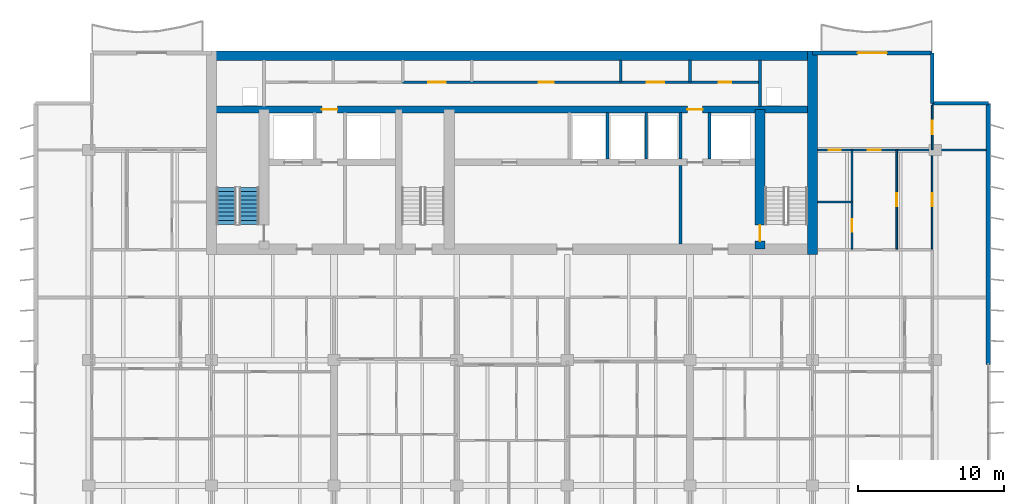
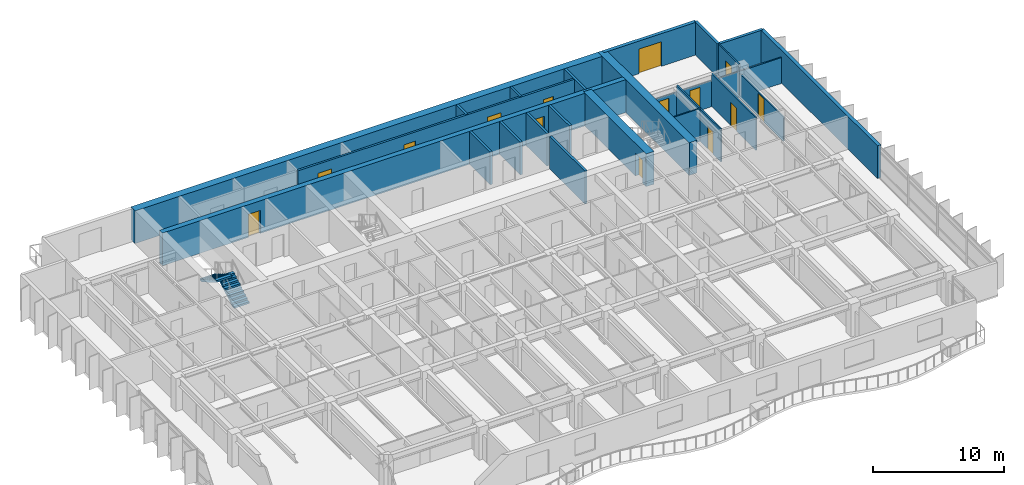
# One storey, part 14 of 19: 23 walls, 14 doors, 2 stair flights, 14 openings, 1 element without a shape of its own.
"""IFC4 building model written with IfcOpenShell, lengths in metres."""

from ifc_helpers import new_model, si_unit, direction, frame, frame_2d, origin, place, context, subcontext, project, spatial, polyline, rectangle, outline, extrude, material, layer, layer_set, type_object, element, fill, aggregate, save


model = new_model("IFC4")

# Units and contexts
model_context = context("Model", 3, precision=1e-05, world=origin(), true_north=direction((0.0, 1.0)))
body_context = subcontext(model_context, "Body", "Model", "MODEL_VIEW")
ifc_project = project(units=[si_unit("LENGTHUNIT", "METRE"), si_unit("AREAUNIT", "SQUARE_METRE"), si_unit("VOLUMEUNIT", "CUBIC_METRE"), si_unit("PLANEANGLEUNIT", "RADIAN"), si_unit("MASSUNIT", "GRAM", prefix="KILO")], contexts=[model_context])

# Site, building, storey
site_placement = place(None, origin())
site = spatial("IfcSite", under=ifc_project, at=site_placement, CompositionType="ELEMENT")
building_placement = place(site_placement, origin())
building = spatial("IfcBuilding", under=site, at=building_placement, Name="Caelmar Bay Residences", CompositionType="ELEMENT")
storey_placement = place(building_placement, frame((0.0, 0.0, 167.10009765625)))
storey = spatial("IfcBuildingStorey", under=building, at=storey_placement, Name="L46", CompositionType="ELEMENT", Elevation=167.10009765625)

# Wall
ifc_material_1 = material(Name="Concrete f'c 55 MPa (8,000 psi)", Category="concrete")
ifc_layer_1 = layer(ifc_material_1, 0.699951171875)
ifc_layer_set_1 = layer_set([ifc_layer_1], Name="Concrete f'c 55 MPa (8,000 psi)")
wall_type_1 = type_object("IfcWallType", Name="SW-COR-700", PredefinedType="SHEAR", material=ifc_layer_set_1)
wall_1_placement = place(storey_placement, frame((59.5, 36.64990234375, 0.0), z_axis=(0.0, 0.0, 1.0), x_axis=(0.0, 1.0, 0.0)))
element("IfcWall", 1, at=wall_1_placement, inside=storey, type_object=wall_type_1, Name="L46 Rear Core East Shear Wall", PredefinedType="SHEAR", context=body_context, shape_type="SweptSolid", body=[
    extrude(rectangle(XDim=13.9501953125, YDim=0.699951171875, at=frame_2d((6.97509765625, 0.0))), origin(), (0.0, 0.0, 1.0), 3.0498046875),
])

# Wall, opening, door
wall_2_placement = place(storey_placement, frame((55.89990234375, 37.0, 0.0), z_axis=(0.0, 0.0, 1.0), x_axis=(0.0, 1.0, 0.0)))
wall_2 = element("IfcWall", 2, at=wall_2_placement, inside=storey, type_object=wall_type_1, Name="L46 Core Structural Web Wall ST2W", PredefinedType="SHEAR", context=body_context, shape_type="SweptSolid", body=[
    extrude(rectangle(XDim=9.574951171875, YDim=0.699951171875, at=frame_2d((4.78759765625, 0.0))), origin(), (0.0, 0.0, 1.0), 3.0498046875),
])
opening_1_placement = place(wall_2_placement, frame((0.550048828125, 0.0, 0.0)))
opening_1 = element("IfcOpeningElement", 3, at=opening_1_placement, cuts=wall_2, Name="Opening D-L46-110", PredefinedType="OPENING", context=body_context, shape_type="SweptSolid", body=[
    extrude(rectangle(XDim=1.10009765625, YDim=2.14990234375, at=frame_2d((0.550048828125, 1.074951171875))), frame((0.0, 0.35986328125, 0.0), z_axis=(0.0, -1.0, 0.0), x_axis=(1.0, 0.0, 0.0)), (0.0, 0.0, 1.0), 0.719970703125),
])
ifc_material_2 = material(Name="Fire-rated steel and walnut architectural door assembly", Category="steel")
ifc_layer_2 = layer(ifc_material_2, 0.050048828125)
ifc_layer_set_2 = layer_set([ifc_layer_2], Name="Fire-rated steel and walnut architectural door assembly")
door_type_1 = type_object("IfcDoorType", Name="D-STAIR-1100", OperationType="NOTDEFINED", PredefinedType="DOOR", material=ifc_layer_set_2)
door_1_placement = place(opening_1_placement, origin())
door_1 = element("IfcDoor", 4, at=door_1_placement, inside=storey, type_object=door_type_1, Name="L46 Firefighting Lobby East Door", OperationType="SINGLE_SWING_LEFT", OverallHeight=2.14990234375, OverallWidth=1.10009765625, PredefinedType="DOOR", context=body_context, shape_type="SweptSolid", body=[
    extrude(rectangle(XDim=1.10009765625, YDim=2.14990234375, at=frame_2d((0.550048828125, 1.074951171875))), frame((0.0, 0.02490234375, 0.0), z_axis=(0.0, -1.0, 0.0), x_axis=(1.0, 0.0, 0.0)), (0.0, 0.0, 1.0), 0.050048828125),
])
fill(opening_1, door_1)

# Wall
ifc_layer_3 = layer(ifc_material_1, 0.64990234375)
ifc_layer_set_3 = layer_set([ifc_layer_3], Name="Concrete f'c 55 MPa (8,000 psi)")
wall_type_2 = type_object("IfcWallType", Name="SW-CORN-650", PredefinedType="SHEAR", material=ifc_layer_set_3)
wall_3_placement = place(storey_placement, frame((17.949951171875, 50.27490234375, 0.0), z_axis=(0.0, 0.0, 1.0), x_axis=(1.0, 0.0, 0.0)))
element("IfcWall", 5, at=wall_3_placement, inside=storey, type_object=wall_type_2, Name="L46 Rear Core North Shear Wall", PredefinedType="SHEAR", context=body_context, shape_type="SweptSolid", body=[
    extrude(rectangle(XDim=41.900146484375, YDim=0.64990234375, at=frame_2d((20.9501953125, 0.0))), origin(), (0.0, 0.0, 1.0), 3.0498046875),
])

# Wall, openings, doors
ifc_material_3 = material(Name="Concrete f'c 70 MPa (10,000 psi)", Category="concrete")
ifc_layer_4 = layer(ifc_material_3, 0.449951171875)
ifc_layer_set_4 = layer_set([ifc_layer_4], Name="Concrete f'c 70 MPa (10,000 psi)")
wall_type_3 = type_object("IfcWallType", Name="SW-WEB-450", PredefinedType="SHEAR", material=ifc_layer_set_4)
wall_4_placement = place(storey_placement, frame((18.300048828125, 46.574951171875, 0.0), z_axis=(0.0, 0.0, 1.0), x_axis=(1.0, 0.0, 0.0)))
wall_4 = element("IfcWall", 6, at=wall_4_placement, inside=storey, type_object=wall_type_3, Name="L46 Core Structural Web Wall SRVS", PredefinedType="SHEAR", context=body_context, shape_type="SweptSolid", body=[
    extrude(rectangle(XDim=41.199951171875, YDim=0.449951171875, at=frame_2d((20.60009765625, 0.0))), origin(), (0.0, 0.0, 1.0), 3.0498046875),
])
opening_2_placement = place(wall_4_placement, frame((7.574951171875, 0.0, 0.0)))
opening_2 = element("IfcOpeningElement", 7, at=opening_2_placement, cuts=wall_4, Name="Opening D-L46-115", PredefinedType="OPENING", context=body_context, shape_type="SweptSolid", body=[
    extrude(rectangle(XDim=1.050048828125, YDim=2.14990234375, at=frame_2d((0.52490234375, 1.074951171875))), frame((0.0, 0.23486328125, 0.0), z_axis=(0.0, -1.0, 0.0), x_axis=(1.0, 0.0, 0.0)), (0.0, 0.0, 1.0), 0.469970703125),
])
opening_3_placement = place(wall_4_placement, frame((32.625, 0.0, 0.0)))
opening_3 = element("IfcOpeningElement", 8, at=opening_3_placement, cuts=wall_4, Name="Opening D-L46-116", PredefinedType="OPENING", context=body_context, shape_type="SweptSolid", body=[
    extrude(rectangle(XDim=1.050048828125, YDim=2.14990234375, at=frame_2d((0.52490234375, 1.074951171875))), frame((0.0, 0.23486328125, 0.0), z_axis=(0.0, -1.0, 0.0), x_axis=(1.0, 0.0, 0.0)), (0.0, 0.0, 1.0), 0.469970703125),
])
ifc_layer_5 = layer(ifc_material_2, 0.050048828125)
ifc_layer_set_5 = layer_set([ifc_layer_5], Name="Fire-rated steel and walnut architectural door assembly")
door_type_2 = type_object("IfcDoorType", Name="D-FSAE-1050", OperationType="NOTDEFINED", PredefinedType="DOOR", material=ifc_layer_set_5)
door_2_placement = place(opening_2_placement, origin())
door_2 = element("IfcDoor", 9, at=door_2_placement, inside=storey, type_object=door_type_2, Name="L46 Core Service Corridor Door", OperationType="SINGLE_SWING_RIGHT", OverallHeight=2.14990234375, OverallWidth=1.050048828125, PredefinedType="DOOR", context=body_context, shape_type="SweptSolid", body=[
    extrude(rectangle(XDim=1.050048828125, YDim=2.14990234375, at=frame_2d((0.52490234375, 1.074951171875))), frame((0.0, 0.02490234375, 0.0), z_axis=(0.0, -1.0, 0.0), x_axis=(1.0, 0.0, 0.0)), (0.0, 0.0, 1.0), 0.050048828125),
])
fill(opening_2, door_2)
door_3_placement = place(opening_3_placement, origin())
door_3 = element("IfcDoor", 10, at=door_3_placement, inside=storey, type_object=door_type_2, Name="L46 Core Service Corridor Door", OperationType="SINGLE_SWING_LEFT", OverallHeight=2.14990234375, OverallWidth=1.050048828125, PredefinedType="DOOR", context=body_context, shape_type="SweptSolid", body=[
    extrude(rectangle(XDim=1.050048828125, YDim=2.14990234375, at=frame_2d((0.52490234375, 1.074951171875))), frame((0.0, 0.02490234375, 0.0), z_axis=(0.0, -1.0, 0.0), x_axis=(1.0, 0.0, 0.0)), (0.0, 0.0, 1.0), 0.050048828125),
])
fill(opening_3, door_3)

# Walls
ifc_material_4 = material(Name="Double-stud acoustic fire-rated gypsum partition 180 mm")
ifc_layer_6 = layer(ifc_material_4, 0.179931640625)
ifc_layer_set_6 = layer_set([ifc_layer_6], Name="Double-stud acoustic fire-rated gypsum partition 180 mm")
wall_type_4 = type_object("IfcWallType", Name="W-COR-200", PredefinedType="PARTITIONING", material=ifc_layer_set_6)
for number, where, z_axis, x_axis, name in (
    (11, (46.35009765625, 48.449951171875, 0.0), (0.0, 0.0, 1.0), (0.0, 1.0, 0.0), "L46 Partition Wall V055"),
    (12, (51.10009765625, 48.449951171875, 0.0), (0.0, 0.0, 1.0), (0.0, 1.0, 0.0), "L46 Partition Wall V067"),
):
    element("IfcWall", number, at=place(storey_placement, frame(where, z_axis=z_axis, x_axis=x_axis)), inside=storey, type_object=wall_type_4, Name=name, PredefinedType="PARTITIONING", context=body_context, shape_type="SweptSolid", body=[
        extrude(rectangle(XDim=1.505126953125, YDim=0.179931640625, at=frame_2d((0.75244140625, 0.0))), origin(), (0.0, 0.0, 1.0), 3.0498046875),
    ])

# Wall, openings, doors
wall_5_placement = place(storey_placement, frame((31.39990234375, 48.449951171875, 0.0), z_axis=(0.0, 0.0, 1.0), x_axis=(1.0, 0.0, 0.0)))
wall_5 = element("IfcWall", 13, at=wall_5_placement, inside=storey, type_object=wall_type_4, Name="L46 Partition Wall H128", PredefinedType="PARTITIONING", context=body_context, shape_type="SweptSolid", body=[
    extrude(rectangle(XDim=24.5, YDim=0.179931640625, at=frame_2d((12.25, 0.0))), origin(), (0.0, 0.0, 1.0), 3.0498046875),
])
opening_4_placement = place(wall_5_placement, frame((1.77490234375, 0.0, 0.0)))
opening_4 = element("IfcOpeningElement", 14, at=opening_4_placement, cuts=wall_5, Name="Opening D-L46-119", PredefinedType="OPENING", context=body_context, shape_type="SweptSolid", body=[
    extrude(rectangle(XDim=1.199951171875, YDim=2.199951171875, at=frame_2d((0.60009765625, 1.10009765625))), frame((0.0, 0.099853515625, 0.0), z_axis=(0.0, -1.0, 0.0), x_axis=(1.0, 0.0, 0.0)), (0.0, 0.0, 1.0), 0.199951171875),
])
opening_5_placement = place(wall_5_placement, frame((9.35009765625, 0.0, 0.0)))
opening_5 = element("IfcOpeningElement", 15, at=opening_5_placement, cuts=wall_5, Name="Opening D-L46-120", PredefinedType="OPENING", context=body_context, shape_type="SweptSolid", body=[
    extrude(rectangle(XDim=1.0, YDim=2.199951171875, at=frame_2d((0.5, 1.10009765625))), frame((0.0, 0.099853515625, 0.0), z_axis=(0.0, -1.0, 0.0), x_axis=(1.0, 0.0, 0.0)), (0.0, 0.0, 1.0), 0.199951171875),
])
opening_6_placement = place(wall_5_placement, frame((16.72509765625, 0.0, 0.0)))
opening_6 = element("IfcOpeningElement", 16, at=opening_6_placement, cuts=wall_5, Name="Opening D-L46-121", PredefinedType="OPENING", context=body_context, shape_type="SweptSolid", body=[
    extrude(rectangle(XDim=1.199951171875, YDim=2.199951171875, at=frame_2d((0.60009765625, 1.10009765625))), frame((0.0, 0.099853515625, 0.0), z_axis=(0.0, -1.0, 0.0), x_axis=(1.0, 0.0, 0.0)), (0.0, 0.0, 1.0), 0.199951171875),
])
opening_7_placement = place(wall_5_placement, frame((21.675048828125, 0.0, 0.0)))
opening_7 = element("IfcOpeningElement", 17, at=opening_7_placement, cuts=wall_5, Name="Opening D-L46-122", PredefinedType="OPENING", context=body_context, shape_type="SweptSolid", body=[
    extrude(rectangle(XDim=0.85009765625, YDim=2.10009765625, at=frame_2d((0.425048828125, 1.050048828125))), frame((0.0, 0.099853515625, 0.0), z_axis=(0.0, -1.0, 0.0), x_axis=(1.0, 0.0, 0.0)), (0.0, 0.0, 1.0), 0.199951171875),
])
ifc_layer_7 = layer(ifc_material_2, 0.050048828125)
ifc_layer_set_7 = layer_set([ifc_layer_7], Name="Fire-rated steel and walnut architectural door assembly")
door_type_3 = type_object("IfcDoorType", Name="D-CORE-850", OperationType="NOTDEFINED", PredefinedType="DOOR", material=ifc_layer_set_7)
door_4_placement = place(opening_7_placement, origin())
door_4 = element("IfcDoor", 18, at=door_4_placement, inside=storey, type_object=door_type_3, Name="L46 Staff Restroom Door", OperationType="SINGLE_SWING_LEFT", OverallHeight=2.10009765625, OverallWidth=0.85009765625, PredefinedType="DOOR", context=body_context, shape_type="SweptSolid", body=[
    extrude(rectangle(XDim=0.85009765625, YDim=2.10009765625, at=frame_2d((0.425048828125, 1.050048828125))), frame((0.0, 0.02490234375, 0.0), z_axis=(0.0, -1.0, 0.0), x_axis=(1.0, 0.0, 0.0)), (0.0, 0.0, 1.0), 0.050048828125),
])
fill(opening_7, door_4)
ifc_layer_8 = layer(ifc_material_2, 0.050048828125)
ifc_layer_set_8 = layer_set([ifc_layer_8], Name="Fire-rated steel and walnut architectural door assembly")
door_type_4 = type_object("IfcDoorType", Name="D-PLANT-1200", OperationType="NOTDEFINED", PredefinedType="DOOR", material=ifc_layer_set_8)
door_5_placement = place(opening_4_placement, origin())
door_5 = element("IfcDoor", 19, at=door_5_placement, inside=storey, type_object=door_type_4, Name="L46 Low-Voltage Data Closet Door", OperationType="SINGLE_SWING_RIGHT", OverallHeight=2.199951171875, OverallWidth=1.199951171875, PredefinedType="DOOR", context=body_context, shape_type="SweptSolid", body=[
    extrude(rectangle(XDim=1.199951171875, YDim=2.199951171875, at=frame_2d((0.60009765625, 1.10009765625))), frame((0.0, 0.02490234375, 0.0), z_axis=(0.0, -1.0, 0.0), x_axis=(1.0, 0.0, 0.0)), (0.0, 0.0, 1.0), 0.050048828125),
])
fill(opening_4, door_5)
door_6_placement = place(opening_6_placement, origin())
door_6 = element("IfcDoor", 20, at=door_6_placement, inside=storey, type_object=door_type_4, Name="L46 Valet Trunk Closet Door", OperationType="SINGLE_SWING_RIGHT", OverallHeight=2.199951171875, OverallWidth=1.199951171875, PredefinedType="DOOR", context=body_context, shape_type="SweptSolid", body=[
    extrude(rectangle(XDim=1.199951171875, YDim=2.199951171875, at=frame_2d((0.60009765625, 1.10009765625))), frame((0.0, 0.02490234375, 0.0), z_axis=(0.0, -1.0, 0.0), x_axis=(1.0, 0.0, 0.0)), (0.0, 0.0, 1.0), 0.050048828125),
])
fill(opening_6, door_6)
ifc_layer_9 = layer(ifc_material_2, 0.050048828125)
ifc_layer_set_9 = layer_set([ifc_layer_9], Name="Fire-rated steel and walnut architectural door assembly")
door_type_5 = type_object("IfcDoorType", Name="D-UNIT-1000", OperationType="NOTDEFINED", PredefinedType="DOOR", material=ifc_layer_set_9)
door_7_placement = place(opening_5_placement, origin())
door_7 = element("IfcDoor", 21, at=door_7_placement, inside=storey, type_object=door_type_5, Name="L46 Mail Sorting Office Door", OperationType="SINGLE_SWING_LEFT", OverallHeight=2.199951171875, OverallWidth=1.0, PredefinedType="DOOR", context=body_context, shape_type="SweptSolid", body=[
    extrude(rectangle(XDim=1.0, YDim=2.199951171875, at=frame_2d((0.5, 1.10009765625))), frame((0.0, 0.02490234375, 0.0), z_axis=(0.0, -1.0, 0.0), x_axis=(1.0, 0.0, 0.0)), (0.0, 0.0, 1.0), 0.050048828125),
])
fill(opening_5, door_7)

# Walls
ifc_material_5 = material(Name="Precast concrete f'c 40 MPa (6,000 psi)", Category="concrete")
ifc_layer_10 = layer(ifc_material_5, 0.25)
ifc_layer_set_10 = layer_set([ifc_layer_10], Name="Precast concrete f'c 40 MPa (6,000 psi)")
wall_type_5 = type_object("IfcWallType", Name="W-EXT-250", PredefinedType="ELEMENTEDWALL", material=ifc_layer_set_10)
wall_6_placement = place(storey_placement, frame((67.699951171875, 50.449951171875, 0.0), z_axis=(0.0, 0.0, 1.0), x_axis=(0.0, -1.0, 0.0)))
element("IfcWall", 22, at=wall_6_placement, inside=storey, type_object=wall_type_5, Name="L46 NNE-V Notch Wall", PredefinedType="ELEMENTEDWALL", context=body_context, shape_type="SweptSolid", body=[
    extrude(rectangle(XDim=3.449951171875, YDim=0.25, at=frame_2d((1.72509765625, 0.0))), origin(), (0.0, 0.0, 1.0), 3.0498046875),
])
wall_7_placement = place(storey_placement, frame((67.699951171875, 47.0, 0.0), z_axis=(0.0, 0.0, 1.0), x_axis=(1.0, 0.0, 0.0)))
element("IfcWall", 23, at=wall_7_placement, inside=storey, type_object=wall_type_5, Name="L46 NNE-H Notch Wall", PredefinedType="ELEMENTEDWALL", context=body_context, shape_type="SweptSolid", body=[
    extrude(rectangle(XDim=3.85009765625, YDim=0.25, at=frame_2d((1.925048828125, 0.0))), origin(), (0.0, 0.0, 1.0), 3.0498046875),
])
ifc_layer_11 = layer(ifc_material_5, 0.300048828125)
ifc_layer_set_11 = layer_set([ifc_layer_11], Name="Precast concrete f'c 40 MPa (6,000 psi)")
wall_type_6 = type_object("IfcWallType", Name="W-EXT-300", PredefinedType="STANDARD", material=ifc_layer_set_11)
wall_8_placement = place(storey_placement, frame((71.550048828125, 47.0, 0.0), z_axis=(0.0, 0.0, 1.0), x_axis=(0.0, -1.0, 0.0)))
element("IfcWall", 24, at=wall_8_placement, inside=storey, type_object=wall_type_6, Name="L46 East Rear Exterior Wall", PredefinedType="STANDARD", context=body_context, shape_type="SweptSolid", body=[
    extrude(rectangle(XDim=17.89990234375, YDim=0.300048828125, at=frame_2d((8.949951171875, 0.0))), origin(), (0.0, 0.0, 1.0), 3.0498046875),
])

# Wall, opening, door
wall_9_placement = place(storey_placement, frame((59.5, 50.449951171875, 0.0), z_axis=(0.0, 0.0, 1.0), x_axis=(1.0, 0.0, 0.0)))
wall_9 = element("IfcWall", 25, at=wall_9_placement, inside=storey, type_object=wall_type_6, Name="L46 North-East Wing Exterior Wall", PredefinedType="STANDARD", context=body_context, shape_type="SweptSolid", body=[
    extrude(rectangle(XDim=8.199951171875, YDim=0.300048828125, at=frame_2d((4.10009765625, 0.0))), origin(), (0.0, 0.0, 1.0), 3.0498046875),
])
opening_8_placement = place(wall_9_placement, frame((3.10009765625, 0.0, 0.0)))
opening_8 = element("IfcOpeningElement", 26, at=opening_8_placement, cuts=wall_9, Name="Opening L46-BDNE", PredefinedType="OPENING", context=body_context, shape_type="SweptSolid", body=[
    extrude(rectangle(XDim=2.0, YDim=2.300048828125, at=frame_2d((1.0, 1.14990234375))), frame((0.0, 0.159912109375, 0.0), z_axis=(0.0, -1.0, 0.0), x_axis=(1.0, 0.0, 0.0)), (0.0, 0.0, 1.0), 0.320068359375),
])
ifc_material_6 = material(Name="Anodised bronze thermally broken sliding glass door", Category="glass")
ifc_layer_12 = layer(ifc_material_6, 0.050048828125)
ifc_layer_set_12 = layer_set([ifc_layer_12], Name="Anodised bronze thermally broken sliding glass door")
door_type_6 = type_object("IfcDoorType", Name="D-BAL-2000", OperationType="DOUBLE_DOOR_SLIDING", PredefinedType="DOOR", material=ifc_layer_set_12)
door_8_placement = place(opening_8_placement, origin())
door_8 = element("IfcDoor", 27, at=door_8_placement, inside=storey, type_object=door_type_6, Name="L46 North-East Balcony Door", OperationType="DOUBLE_DOOR_SLIDING", OverallHeight=2.300048828125, OverallWidth=2.0, PredefinedType="DOOR", context=body_context, shape_type="SweptSolid", body=[
    extrude(rectangle(XDim=2.0, YDim=2.300048828125, at=frame_2d((1.0, 1.14990234375))), frame((0.0, 0.02490234375, 0.0), z_axis=(0.0, -1.0, 0.0), x_axis=(1.0, 0.0, 0.0)), (0.0, 0.0, 1.0), 0.050048828125),
])
fill(opening_8, door_8)

# Walls
ifc_material_7 = material(Name="Fire-rated masonry and gypsum shaftliner assembly 200 mm", Category="masonry")
ifc_layer_13 = layer(ifc_material_7, 0.199951171875)
ifc_layer_set_13 = layer_set([ifc_layer_13], Name="Fire-rated masonry and gypsum shaftliner assembly 200 mm")
wall_type_7 = type_object("IfcWallType", Name="W-FSAE-200", PredefinedType="PARTITIONING", material=ifc_layer_set_13)
for number, where, z_axis, x_axis, name in (
    (28, (45.449951171875, 43.169921875, 0.0), (0.0, 0.0, 1.0), (0.0, 1.0, 0.0), "L46 Partition Wall V054"),
    (29, (48.10009765625, 43.169921875, 0.0), (0.0, 0.0, 1.0), (0.0, 1.0, 0.0), "L46 Partition Wall V060"),
):
    element("IfcWall", number, at=place(storey_placement, frame(where, z_axis=z_axis, x_axis=x_axis)), inside=storey, type_object=wall_type_7, Name=name, PredefinedType="PARTITIONING", context=body_context, shape_type="SweptSolid", body=[
        extrude(rectangle(XDim=3.18505859375, YDim=0.199951171875, at=frame_2d((1.592529296875, 0.0))), origin(), (0.0, 0.0, 1.0), 3.0498046875),
    ])
wall_10_placement = place(storey_placement, frame((50.449951171875, 37.344970703125, 0.0), z_axis=(0.0, 0.0, 1.0), x_axis=(0.0, 1.0, 0.0)))
element("IfcWall", 30, at=wall_10_placement, inside=storey, type_object=wall_type_7, Name="L46 Partition Wall V062", PredefinedType="PARTITIONING", context=body_context, shape_type="SweptSolid", body=[
    extrude(rectangle(XDim=5.385009765625, YDim=0.199951171875, at=frame_2d((2.6923828125, 0.0))), origin(), (0.0, 0.0, 1.0), 3.0498046875),
])
for number, where, z_axis, x_axis, name in (
    (31, (50.449951171875, 43.169921875, 0.0), (0.0, 0.0, 1.0), (0.0, 1.0, 0.0), "L46 Partition Wall V063"),
    (32, (52.449951171875, 43.169921875, 0.0), (0.0, 0.0, 1.0), (0.0, 1.0, 0.0), "L46 Partition Wall V068"),
):
    element("IfcWall", number, at=place(storey_placement, frame(where, z_axis=z_axis, x_axis=x_axis)), inside=storey, type_object=wall_type_7, Name=name, PredefinedType="PARTITIONING", context=body_context, shape_type="SweptSolid", body=[
        extrude(rectangle(XDim=3.18505859375, YDim=0.199951171875, at=frame_2d((1.592529296875, 0.0))), origin(), (0.0, 0.0, 1.0), 3.0498046875),
    ])
wall_11_placement = place(storey_placement, frame((55.89990234375, 46.794921875, 0.0), z_axis=(0.0, 0.0, 1.0), x_axis=(0.0, 1.0, 0.0)))
element("IfcWall", 33, at=wall_11_placement, inside=storey, type_object=wall_type_7, Name="L46 Partition Wall V071", PredefinedType="PARTITIONING", context=body_context, shape_type="SweptSolid", body=[
    extrude(rectangle(XDim=3.16015625, YDim=0.199951171875, at=frame_2d((1.580078125, 0.0))), origin(), (0.0, 0.0, 1.0), 3.0498046875),
])

# Wall, opening, door
ifc_material_8 = material(Name="Anodised bronze framed acoustic sliding study partition 100 mm")
ifc_layer_14 = layer(ifc_material_8, 0.10009765625)
ifc_layer_set_14 = layer_set([ifc_layer_14], Name="Anodised bronze framed acoustic sliding study partition 100 mm")
wall_type_8 = type_object("IfcWallType", Name="W-MOV-100", PredefinedType="MOVABLE", material=ifc_layer_set_14)
wall_12_placement = place(storey_placement, frame((67.699951171875, 37.0, 0.0), z_axis=(0.0, 0.0, 1.0), x_axis=(0.0, 1.0, 0.0)))
wall_12 = element("IfcWall", 34, at=wall_12_placement, inside=storey, type_object=wall_type_8, Name="L46 Partition Wall V090", PredefinedType="MOVABLE", context=body_context, shape_type="SweptSolid", body=[
    extrude(rectangle(XDim=6.800048828125, YDim=0.10009765625, at=frame_2d((3.39990234375, 0.0))), origin(), (0.0, 0.0, 1.0), 2.262939453125),
])
opening_9_placement = place(wall_12_placement, frame((2.949951171875, 0.0, 0.0)))
opening_9 = element("IfcOpeningElement", 35, at=opening_9_placement, cuts=wall_12, Name="Opening D-L46-177", PredefinedType="OPENING", context=body_context, shape_type="SweptSolid", body=[
    extrude(rectangle(XDim=0.89990234375, YDim=2.14990234375, at=frame_2d((0.449951171875, 1.074951171875))), frame((0.0, 0.06005859375, 0.0), z_axis=(0.0, -1.0, 0.0), x_axis=(1.0, 0.0, 0.0)), (0.0, 0.0, 1.0), 0.1201171875),
])
ifc_material_9 = material(Name="Solid walnut timber interior door leaf and frame", Category="wood")
ifc_layer_15 = layer(ifc_material_9, 0.050048828125)
ifc_layer_set_15 = layer_set([ifc_layer_15], Name="Solid walnut timber interior door leaf and frame")
door_type_7 = type_object("IfcDoorType", Name="D-ROOM-900", OperationType="NOTDEFINED", PredefinedType="DOOR", material=ifc_layer_set_15)
door_9_placement = place(opening_9_placement, origin())
door_9 = element("IfcDoor", 36, at=door_9_placement, inside=storey, type_object=door_type_7, Name="L46 Residence EA Sun Study Door", OperationType="SINGLE_SWING_RIGHT", OverallHeight=2.14990234375, OverallWidth=0.89990234375, PredefinedType="DOOR", context=body_context, shape_type="SweptSolid", body=[
    extrude(rectangle(XDim=0.89990234375, YDim=2.14990234375, at=frame_2d((0.449951171875, 1.074951171875))), frame((0.0, 0.02490234375, 0.0), z_axis=(0.0, -1.0, 0.0), x_axis=(1.0, 0.0, 0.0)), (0.0, 0.0, 1.0), 0.050048828125),
])
fill(opening_9, door_9)

ifc_material_10 = material(Name="Acoustic metal-stud gypsum partition 120 mm")
ifc_layer_16 = layer(ifc_material_10, 0.1201171875)
ifc_layer_set_16 = layer_set([ifc_layer_16], Name="Acoustic metal-stud gypsum partition 120 mm")
wall_type_9 = type_object("IfcWallType", Name="W-PRT-120", PredefinedType="PARTITIONING", material=ifc_layer_set_16)
wall_13_placement = place(storey_placement, frame((62.199951171875, 37.0, 0.0), z_axis=(0.0, 0.0, 1.0), x_axis=(0.0, 1.0, 0.0)))
wall_13 = element("IfcWall", 37, at=wall_13_placement, inside=storey, type_object=wall_type_9, Name="L46 Partition Wall V080", PredefinedType="PARTITIONING", context=body_context, shape_type="SweptSolid", body=[
    extrude(rectangle(XDim=6.800048828125, YDim=0.1201171875, at=frame_2d((3.39990234375, 0.0))), origin(), (0.0, 0.0, 1.0), 3.0498046875),
])
opening_10_placement = place(wall_13_placement, frame((1.194091796875, 0.0, 0.0)))
opening_10 = element("IfcOpeningElement", 38, at=opening_10_placement, cuts=wall_13, Name="Opening D-L46-175", PredefinedType="OPENING", context=body_context, shape_type="SweptSolid", body=[
    extrude(rectangle(XDim=0.85009765625, YDim=2.10009765625, at=frame_2d((0.425048828125, 1.050048828125))), frame((0.0, 0.070068359375, 0.0), z_axis=(0.0, -1.0, 0.0), x_axis=(1.0, 0.0, 0.0)), (0.0, 0.0, 1.0), 0.14013671875),
])
ifc_layer_17 = layer(ifc_material_9, 0.050048828125)
ifc_layer_set_17 = layer_set([ifc_layer_17], Name="Solid walnut timber interior door leaf and frame")
door_type_8 = type_object("IfcDoorType", Name="D-BATH-850", OperationType="NOTDEFINED", PredefinedType="DOOR", material=ifc_layer_set_17)
door_10_placement = place(opening_10_placement, origin())
door_10 = element("IfcDoor", 39, at=door_10_placement, inside=storey, type_object=door_type_8, Name="L46 Residence EA Walk-In Closet Door", OperationType="SINGLE_SWING_RIGHT", OverallHeight=2.10009765625, OverallWidth=0.85009765625, PredefinedType="DOOR", context=body_context, shape_type="SweptSolid", body=[
    extrude(rectangle(XDim=0.85009765625, YDim=2.10009765625, at=frame_2d((0.425048828125, 1.050048828125))), frame((0.0, 0.02490234375, 0.0), z_axis=(0.0, -1.0, 0.0), x_axis=(1.0, 0.0, 0.0)), (0.0, 0.0, 1.0), 0.050048828125),
])
fill(opening_10, door_10)

wall_14_placement = place(storey_placement, frame((65.280029296875, 37.0, 0.0), z_axis=(0.0, 0.0, 1.0), x_axis=(0.0, 1.0, 0.0)))
wall_14 = element("IfcWall", 40, at=wall_14_placement, inside=storey, type_object=wall_type_9, Name="L46 Partition Wall V081", PredefinedType="PARTITIONING", context=body_context, shape_type="SweptSolid", body=[
    extrude(rectangle(XDim=6.800048828125, YDim=0.1201171875, at=frame_2d((3.39990234375, 0.0))), origin(), (0.0, 0.0, 1.0), 3.0498046875),
])
opening_11_placement = place(wall_14_placement, frame((2.949951171875, 0.0, 0.0)))
opening_11 = element("IfcOpeningElement", 41, at=opening_11_placement, cuts=wall_14, Name="Opening D-L46-172", PredefinedType="OPENING", context=body_context, shape_type="SweptSolid", body=[
    extrude(rectangle(XDim=0.89990234375, YDim=2.14990234375, at=frame_2d((0.449951171875, 1.074951171875))), frame((0.0, 0.070068359375, 0.0), z_axis=(0.0, -1.0, 0.0), x_axis=(1.0, 0.0, 0.0)), (0.0, 0.0, 1.0), 0.14013671875),
])
door_11_placement = place(opening_11_placement, origin())
door_11 = element("IfcDoor", 42, at=door_11_placement, inside=storey, type_object=door_type_7, Name="L46 Residence EA Dining Room Door", OperationType="SINGLE_SWING_LEFT", OverallHeight=2.14990234375, OverallWidth=0.89990234375, PredefinedType="DOOR", context=body_context, shape_type="SweptSolid", body=[
    extrude(rectangle(XDim=0.89990234375, YDim=2.14990234375, at=frame_2d((0.449951171875, 1.074951171875))), frame((0.0, 0.02490234375, 0.0), z_axis=(0.0, -1.0, 0.0), x_axis=(1.0, 0.0, 0.0)), (0.0, 0.0, 1.0), 0.050048828125),
])
fill(opening_11, door_11)

wall_15_placement = place(storey_placement, frame((67.699951171875, 43.804931640625, 0.0), z_axis=(0.0, 0.0, 1.0), x_axis=(0.0, 1.0, 0.0)))
wall_15 = element("IfcWall", 43, at=wall_15_placement, inside=storey, type_object=wall_type_9, Name="L46 Partition Wall V091", PredefinedType="PARTITIONING", context=body_context, shape_type="SweptSolid", body=[
    extrude(rectangle(XDim=3.074951171875, YDim=0.1201171875, at=frame_2d((1.53759765625, 0.0))), origin(), (0.0, 0.0, 1.0), 3.0498046875),
])
opening_12_placement = place(wall_15_placement, frame((1.08740234375, 0.0, 0.0)))
opening_12 = element("IfcOpeningElement", 44, at=opening_12_placement, cuts=wall_15, Name="Opening D-L46-178", PredefinedType="OPENING", context=body_context, shape_type="SweptSolid", body=[
    extrude(rectangle(XDim=0.89990234375, YDim=2.14990234375, at=frame_2d((0.449951171875, 1.074951171875))), frame((0.0, 0.070068359375, 0.0), z_axis=(0.0, -1.0, 0.0), x_axis=(1.0, 0.0, 0.0)), (0.0, 0.0, 1.0), 0.14013671875),
])
door_12_placement = place(opening_12_placement, origin())
door_12 = element("IfcDoor", 45, at=door_12_placement, inside=storey, type_object=door_type_7, Name="L46 Residence EA North Sitting Alcove Door", OperationType="SINGLE_SWING_LEFT", OverallHeight=2.14990234375, OverallWidth=0.89990234375, PredefinedType="DOOR", context=body_context, shape_type="SweptSolid", body=[
    extrude(rectangle(XDim=0.89990234375, YDim=2.14990234375, at=frame_2d((0.449951171875, 1.074951171875))), frame((0.0, 0.02490234375, 0.0), z_axis=(0.0, -1.0, 0.0), x_axis=(1.0, 0.0, 0.0)), (0.0, 0.0, 1.0), 0.050048828125),
])
fill(opening_12, door_12)

# Wall
wall_16_placement = place(storey_placement, frame((59.844970703125, 40.238037109375, 0.0), z_axis=(0.0, 0.0, 1.0), x_axis=(1.0, 0.0, 0.0)))
element("IfcWall", 46, at=wall_16_placement, inside=storey, type_object=wall_type_9, Name="L46 Partition Wall H123", PredefinedType="PARTITIONING", context=body_context, shape_type="SweptSolid", body=[
    extrude(rectangle(XDim=2.35498046875, YDim=0.1201171875, at=frame_2d((1.177490234375, 0.0))), origin(), (0.0, 0.0, 1.0), 3.0498046875),
])

# Wall, openings, doors
wall_17_placement = place(storey_placement, frame((59.844970703125, 43.800048828125, 0.0), z_axis=(0.0, 0.0, 1.0), x_axis=(1.0, 0.0, 0.0)))
wall_17 = element("IfcWall", 47, at=wall_17_placement, inside=storey, type_object=wall_type_9, Name="L46 Partition Wall H125", PredefinedType="PARTITIONING", context=body_context, shape_type="SweptSolid", body=[
    extrude(rectangle(XDim=11.56005859375, YDim=0.1201171875, at=frame_2d((5.780029296875, 0.0))), origin(), (0.0, 0.0, 1.0), 2.41796875),
])
opening_13_placement = place(wall_17_placement, frame((3.445068359375, 0.0, 0.0)))
opening_13 = element("IfcOpeningElement", 48, at=opening_13_placement, cuts=wall_17, Name="Opening D-L46-174", PredefinedType="OPENING", context=body_context, shape_type="SweptSolid", body=[
    extrude(rectangle(XDim=0.89990234375, YDim=2.14990234375, at=frame_2d((0.449951171875, 1.074951171875))), frame((0.0, 0.070068359375, 0.0), z_axis=(0.0, -1.0, 0.0), x_axis=(1.0, 0.0, 0.0)), (0.0, 0.0, 1.0), 0.14013671875),
])
opening_14_placement = place(wall_17_placement, frame((0.75244140625, 0.0, 0.0)))
opening_14 = element("IfcOpeningElement", 49, at=opening_14_placement, cuts=wall_17, Name="Opening D-L46-176", PredefinedType="OPENING", context=body_context, shape_type="SweptSolid", body=[
    extrude(rectangle(XDim=0.85009765625, YDim=2.10009765625, at=frame_2d((0.425048828125, 1.050048828125))), frame((0.0, 0.070068359375, 0.0), z_axis=(0.0, -1.0, 0.0), x_axis=(1.0, 0.0, 0.0)), (0.0, 0.0, 1.0), 0.14013671875),
])
door_13_placement = place(opening_14_placement, origin())
door_13 = element("IfcDoor", 50, at=door_13_placement, inside=storey, type_object=door_type_8, Name="L46 Residence EA Bathroom Door", OperationType="SINGLE_SWING_LEFT", OverallHeight=2.10009765625, OverallWidth=0.85009765625, PredefinedType="DOOR", context=body_context, shape_type="SweptSolid", body=[
    extrude(rectangle(XDim=0.85009765625, YDim=2.10009765625, at=frame_2d((0.425048828125, 1.050048828125))), frame((0.0, 0.02490234375, 0.0), z_axis=(0.0, -1.0, 0.0), x_axis=(1.0, 0.0, 0.0)), (0.0, 0.0, 1.0), 0.050048828125),
])
fill(opening_14, door_13)
door_14_placement = place(opening_13_placement, origin())
door_14 = element("IfcDoor", 51, at=door_14_placement, inside=storey, type_object=door_type_7, Name="L46 Residence EA Studio Living and Sleeping Room Door", OperationType="SINGLE_SWING_LEFT", OverallHeight=2.14990234375, OverallWidth=0.89990234375, PredefinedType="DOOR", context=body_context, shape_type="SweptSolid", body=[
    extrude(rectangle(XDim=0.89990234375, YDim=2.14990234375, at=frame_2d((0.449951171875, 1.074951171875))), frame((0.0, 0.02490234375, 0.0), z_axis=(0.0, -1.0, 0.0), x_axis=(1.0, 0.0, 0.0)), (0.0, 0.0, 1.0), 0.050048828125),
])
fill(opening_13, door_14)

# Stair, stair flights
ifc_material_11 = material(Name="Concrete f'c 40 MPa (6,000 psi)", Category="concrete")
stair_type = type_object("IfcStairType", Name="ST-TYP-165", PredefinedType="HALF_TURN_STAIR", material=ifc_material_11)
stair_placement = place(storey_placement, origin())
stair = element("IfcStair", 52, at=stair_placement, inside=storey, type_object=stair_type, Name="L46 West Smokeproof Exit Stair ST1", PredefinedType="HALF_TURN_STAIR")
stair_flight_type = type_object("IfcStairFlightType", Name="STF-1350", PredefinedType="STRAIGHT", material=ifc_material_11)
stair_flight_1_placement = place(storey_placement, frame((20.875, 38.699951171875, 0.0), z_axis=(0.0, 0.0, 1.0), x_axis=(0.0, 1.0, 0.0)))
stair_flight_1 = element("IfcStairFlight", 53, at=stair_flight_1_placement, type_object=stair_flight_type, Name="ST1 flight 1", NumberOfRisers=10, NumberOfTreads=9, PredefinedType="STRAIGHT", RiserHeight=0.165, TreadLength=0.28, context=body_context, shape_type="SweptSolid", body=[
    extrude(outline(polyline([(0.0, 0.0), (0.0, 0.1650390625), (0.280029296875, 0.1650390625), (0.280029296875, 0.330078125), (0.56005859375, 0.330078125), (0.56005859375, 0.4951171875), (0.840087890625, 0.4951171875), (0.840087890625, 0.659912109375), (1.1201171875, 0.659912109375), (1.1201171875, 0.824951171875), (1.39990234375, 0.824951171875), (1.39990234375, 0.989990234375), (1.679931640625, 0.989990234375), (1.679931640625, 1.155029296875), (1.9599609375, 1.155029296875), (1.9599609375, 1.320068359375), (2.239990234375, 1.320068359375), (2.239990234375, 1.485107421875), (2.52001953125, 1.485107421875), (2.52001953125, 1.64990234375), (2.52001953125, 1.31103515625), (0.295166015625, 0.0), (0.0, 0.0)])), frame((0.0, 0.675048828125, 0.0), z_axis=(0.0, -1.0, 0.0), x_axis=(1.0, 0.0, 0.0)), (0.0, 0.0, 1.0), 1.35009765625),
])
stair_flight_2_placement = place(storey_placement, frame((19.324951171875, 41.219970703125, 1.64990234375), z_axis=(0.0, 0.0, 1.0), x_axis=(0.0, -1.0, 0.0)))
stair_flight_2 = element("IfcStairFlight", 54, at=stair_flight_2_placement, type_object=stair_flight_type, Name="ST1 flight 2", NumberOfRisers=10, NumberOfTreads=9, PredefinedType="STRAIGHT", RiserHeight=0.165, TreadLength=0.28, context=body_context, shape_type="SweptSolid", body=[
    extrude(outline(polyline([(0.0, 0.0), (0.0, 0.1650390625), (0.280029296875, 0.1650390625), (0.280029296875, 0.330078125), (0.56005859375, 0.330078125), (0.56005859375, 0.4951171875), (0.840087890625, 0.4951171875), (0.840087890625, 0.659912109375), (1.1201171875, 0.659912109375), (1.1201171875, 0.824951171875), (1.39990234375, 0.824951171875), (1.39990234375, 0.989990234375), (1.679931640625, 0.989990234375), (1.679931640625, 1.155029296875), (1.9599609375, 1.155029296875), (1.9599609375, 1.320068359375), (2.239990234375, 1.320068359375), (2.239990234375, 1.485107421875), (2.52001953125, 1.485107421875), (2.52001953125, 1.64990234375), (2.52001953125, 1.31103515625), (0.295166015625, 0.0), (0.0, 0.0)])), frame((0.0, 0.675048828125, 0.0), z_axis=(0.0, -1.0, 0.0), x_axis=(1.0, 0.0, 0.0)), (0.0, 0.0, 1.0), 1.35009765625),
])
aggregate(stair, [stair_flight_1, stair_flight_2])

save(model, "model.ifc")
